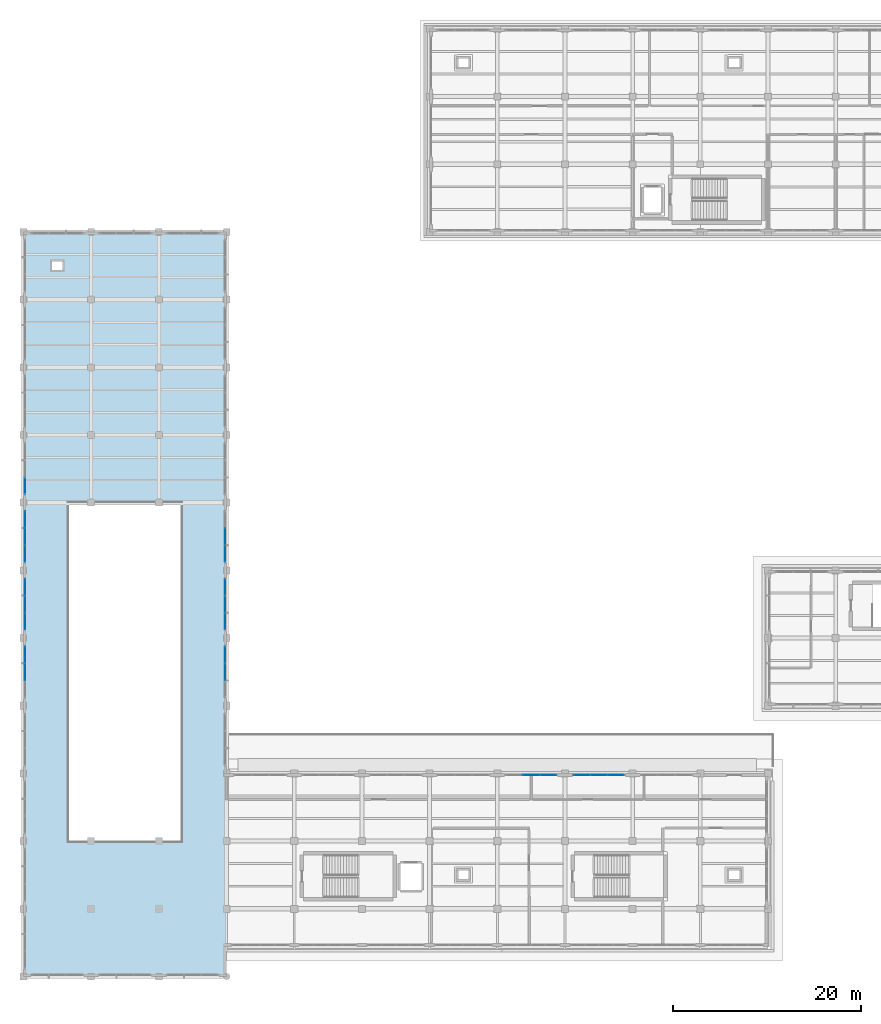
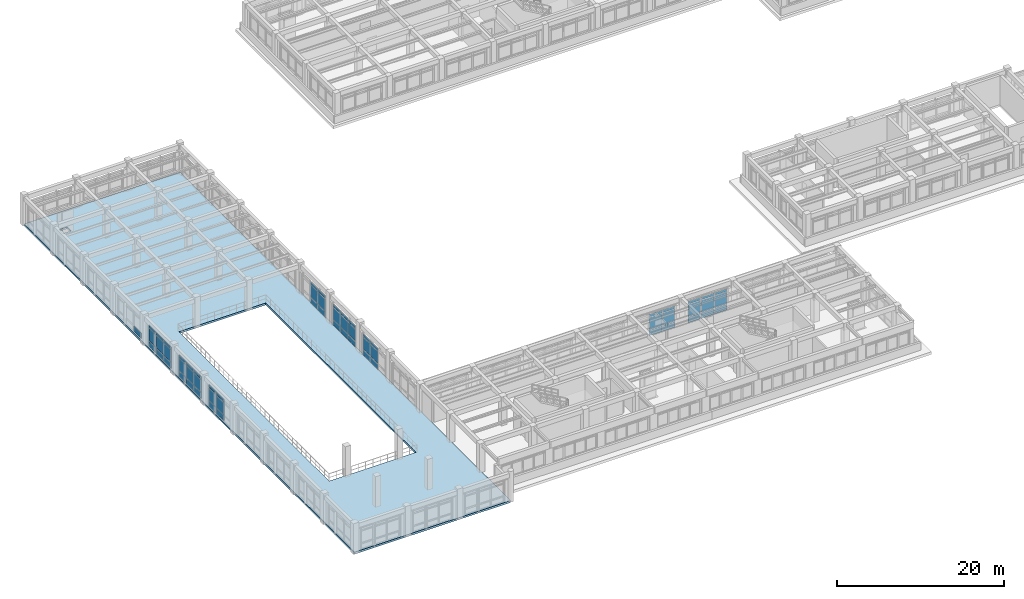
# One storey, part 35 of 64: 61 plates, 1 slab, 9 elements without a shape of their own.
"""IFC4 building model written with IfcOpenShell, lengths in metres."""

from ifc_helpers import new_model, si_unit, direction, frame, origin, origin_2d, place, context, subcontext, project, spatial, polyline, rectangle, outline, extrude, material, layer, layer_set, type_object, element, aggregate, save


model = new_model("IFC4")

# Units and contexts
model_context = context("Model", 3, precision=1e-05, world=origin(), true_north=direction((0.0, 1.0)))
body_context = subcontext(model_context, "Body", "Model", "MODEL_VIEW")
ifc_project = project(units=[si_unit("LENGTHUNIT", "METRE"), si_unit("AREAUNIT", "SQUARE_METRE"), si_unit("VOLUMEUNIT", "CUBIC_METRE"), si_unit("PLANEANGLEUNIT", "RADIAN"), si_unit("MASSUNIT", "GRAM", prefix="KILO")], contexts=[model_context])

# Site, building, storey
site_placement = place(None, origin())
site = spatial("IfcSite", under=ifc_project, at=site_placement, CompositionType="ELEMENT")
building_placement = place(site_placement, origin())
building = spatial("IfcBuilding", under=site, at=building_placement, Name="Solenvale Faculty of Natural Sciences", CompositionType="ELEMENT")
storey_placement = place(building_placement, frame((0.0, 0.0, 18.0)))
storey = spatial("IfcBuildingStorey", under=building, at=storey_placement, Name="L04", CompositionType="ELEMENT", Elevation=18.0)

# Curtain wall, plates
ifc_material_1 = material(Name="Anodised bronze aluminium", Category="aluminium")
ifc_layer_1 = layer(ifc_material_1, 0.215087890625)
ifc_layer_set_1 = layer_set([ifc_layer_1], Name="Anodised bronze aluminium")
curtain_wall_type_1 = type_object("IfcCurtainWallType", Name="CW-ATR-UNIT", PredefinedType="USERDEFINED", material=ifc_layer_set_1)
curtain_wall_1_placement = place(storey_placement, origin())
curtain_wall_1 = element("IfcCurtainWall", 1, at=curtain_wall_1_placement, inside=storey, type_object=curtain_wall_type_1, Name="L04 Curtain Wall CW-L04-P1-E1-B2", ObjectType="UNITISED CURTAIN WALL", PredefinedType="USERDEFINED")
ifc_material_2 = material(Name="North-light skylight glass", Category="glass")
ifc_layer_2 = layer(ifc_material_2, 0.028076171875)
ifc_layer_set_2 = layer_set([ifc_layer_2], Name="North-light skylight glass")
plate_type_1 = type_object("IfcPlateType", Name="CWP-PNL-28", PredefinedType="CURTAIN_PANEL", material=ifc_layer_set_2)
plate_1_placement = place(storey_placement, frame((57.45751953125, 46.800048828125, 0.074951171875), z_axis=(0.0, 0.0, 1.0), x_axis=(0.0, 1.0, 0.0)))
plate_1 = element("IfcPlate", 2, at=plate_1_placement, type_object=plate_type_1, Name="CW-01 panel 2.1", PredefinedType="CURTAIN_PANEL", context=body_context, shape_type="SweptSolid", body=[
    extrude(rectangle(XDim=1.75830078125, YDim=0.028076171875, at=origin_2d()), origin(), (0.0, 0.0, 1.0), 0.78759765625),
])
plate_2_placement = place(storey_placement, frame((57.45751953125, 46.800048828125, 0.9375), z_axis=(0.0, 0.0, 1.0), x_axis=(0.0, 1.0, 0.0)))
plate_2 = element("IfcPlate", 3, at=plate_2_placement, type_object=plate_type_1, Name="CW-01 panel 2.2", PredefinedType="CURTAIN_PANEL", context=body_context, shape_type="SweptSolid", body=[
    extrude(rectangle(XDim=1.75830078125, YDim=0.028076171875, at=origin_2d()), origin(), (0.0, 0.0, 1.0), 1.784912109375),
])
plate_3_placement = place(storey_placement, frame((57.45751953125, 46.800048828125, 2.79736328125), z_axis=(0.0, 0.0, 1.0), x_axis=(0.0, 1.0, 0.0)))
plate_3 = element("IfcPlate", 4, at=plate_3_placement, type_object=plate_type_1, Name="CW-01 panel 2.3", PredefinedType="CURTAIN_PANEL", context=body_context, shape_type="SweptSolid", body=[
    extrude(rectangle(XDim=1.75830078125, YDim=0.028076171875, at=origin_2d()), origin(), (0.0, 0.0, 1.0), 0.387451171875),
])
plate_4_placement = place(storey_placement, frame((57.45751953125, 48.614501953125, 0.074951171875), z_axis=(0.0, 0.0, 1.0), x_axis=(0.0, 1.0, 0.0)))
plate_4 = element("IfcPlate", 5, at=plate_4_placement, type_object=plate_type_1, Name="CW-01 panel 3.1", PredefinedType="CURTAIN_PANEL", context=body_context, shape_type="SweptSolid", body=[
    extrude(rectangle(XDim=1.720947265625, YDim=0.028076171875, at=origin_2d()), origin(), (0.0, 0.0, 1.0), 0.78759765625),
])
plate_5_placement = place(storey_placement, frame((57.45751953125, 48.614501953125, 0.9375), z_axis=(0.0, 0.0, 1.0), x_axis=(0.0, 1.0, 0.0)))
plate_5 = element("IfcPlate", 6, at=plate_5_placement, type_object=plate_type_1, Name="CW-01 panel 3.2", PredefinedType="CURTAIN_PANEL", context=body_context, shape_type="SweptSolid", body=[
    extrude(rectangle(XDim=1.720947265625, YDim=0.028076171875, at=origin_2d()), origin(), (0.0, 0.0, 1.0), 1.784912109375),
])
plate_6_placement = place(storey_placement, frame((57.45751953125, 48.614501953125, 2.79736328125), z_axis=(0.0, 0.0, 1.0), x_axis=(0.0, 1.0, 0.0)))
plate_6 = element("IfcPlate", 7, at=plate_6_placement, type_object=plate_type_1, Name="CW-01 panel 3.3", PredefinedType="CURTAIN_PANEL", context=body_context, shape_type="SweptSolid", body=[
    extrude(rectangle(XDim=1.720947265625, YDim=0.028076171875, at=origin_2d()), origin(), (0.0, 0.0, 1.0), 0.387451171875),
])
aggregate(curtain_wall_1, [plate_1, plate_2, plate_3, plate_4, plate_5, plate_6])

ifc_layer_3 = layer(ifc_material_1, 0.18994140625)
ifc_layer_set_3 = layer_set([ifc_layer_3], Name="Anodised bronze aluminium")
curtain_wall_type_2 = type_object("IfcCurtainWallType", Name="CW-TRAY-REC", PredefinedType="USERDEFINED", material=ifc_layer_set_3)
curtain_wall_2_placement = place(storey_placement, origin())
curtain_wall_2 = element("IfcCurtainWall", 8, at=curtain_wall_2_placement, inside=storey, type_object=curtain_wall_type_2, Name="L04 Curtain Wall CW-L04-P1-E8-B3", ObjectType="UNITISED CURTAIN WALL", PredefinedType="USERDEFINED")
plate_7_placement = place(storey_placement, frame((99.0146484375, 35.83740234375, 0.074951171875), z_axis=(0.0, 0.0, 1.0), x_axis=(-1.0, 0.0, 0.0)))
plate_7 = element("IfcPlate", 9, at=plate_7_placement, type_object=plate_type_1, Name="CW-02 panel 1.1", PredefinedType="CURTAIN_PANEL", context=body_context, shape_type="SweptSolid", body=[
    extrude(rectangle(XDim=1.720947265625, YDim=0.028076171875, at=origin_2d()), origin(), (0.0, 0.0, 1.0), 0.78759765625),
])
plate_8_placement = place(storey_placement, frame((99.0146484375, 35.83740234375, 0.9375), z_axis=(0.0, 0.0, 1.0), x_axis=(-1.0, 0.0, 0.0)))
plate_8 = element("IfcPlate", 10, at=plate_8_placement, type_object=plate_type_1, Name="CW-02 panel 1.2", PredefinedType="CURTAIN_PANEL", context=body_context, shape_type="SweptSolid", body=[
    extrude(rectangle(XDim=1.720947265625, YDim=0.028076171875, at=origin_2d()), origin(), (0.0, 0.0, 1.0), 1.784912109375),
])
plate_9_placement = place(storey_placement, frame((99.0146484375, 35.83740234375, 2.79736328125), z_axis=(0.0, 0.0, 1.0), x_axis=(-1.0, 0.0, 0.0)))
plate_9 = element("IfcPlate", 11, at=plate_9_placement, type_object=plate_type_1, Name="CW-02 panel 1.3", PredefinedType="CURTAIN_PANEL", context=body_context, shape_type="SweptSolid", body=[
    extrude(rectangle(XDim=1.720947265625, YDim=0.028076171875, at=origin_2d()), origin(), (0.0, 0.0, 1.0), 0.387451171875),
])
plate_10_placement = place(storey_placement, frame((97.199951171875, 35.83740234375, 0.074951171875), z_axis=(0.0, 0.0, 1.0), x_axis=(-1.0, 0.0, 0.0)))
plate_10 = element("IfcPlate", 12, at=plate_10_placement, type_object=plate_type_1, Name="CW-02 panel 2.1", PredefinedType="CURTAIN_PANEL", context=body_context, shape_type="SweptSolid", body=[
    extrude(rectangle(XDim=1.75830078125, YDim=0.028076171875, at=origin_2d()), origin(), (0.0, 0.0, 1.0), 0.78759765625),
])
plate_11_placement = place(storey_placement, frame((97.199951171875, 35.83740234375, 0.9375), z_axis=(0.0, 0.0, 1.0), x_axis=(-1.0, 0.0, 0.0)))
plate_11 = element("IfcPlate", 13, at=plate_11_placement, type_object=plate_type_1, Name="CW-02 panel 2.2", PredefinedType="CURTAIN_PANEL", context=body_context, shape_type="SweptSolid", body=[
    extrude(rectangle(XDim=1.75830078125, YDim=0.028076171875, at=origin_2d()), origin(), (0.0, 0.0, 1.0), 1.784912109375),
])
plate_12_placement = place(storey_placement, frame((97.199951171875, 35.83740234375, 2.79736328125), z_axis=(0.0, 0.0, 1.0), x_axis=(-1.0, 0.0, 0.0)))
plate_12 = element("IfcPlate", 14, at=plate_12_placement, type_object=plate_type_1, Name="CW-02 panel 2.3", PredefinedType="CURTAIN_PANEL", context=body_context, shape_type="SweptSolid", body=[
    extrude(rectangle(XDim=1.75830078125, YDim=0.028076171875, at=origin_2d()), origin(), (0.0, 0.0, 1.0), 0.387451171875),
])
plate_13_placement = place(storey_placement, frame((95.385498046875, 35.83740234375, 0.074951171875), z_axis=(0.0, 0.0, 1.0), x_axis=(-1.0, 0.0, 0.0)))
plate_13 = element("IfcPlate", 15, at=plate_13_placement, type_object=plate_type_1, Name="CW-02 panel 3.1", PredefinedType="CURTAIN_PANEL", context=body_context, shape_type="SweptSolid", body=[
    extrude(rectangle(XDim=1.720947265625, YDim=0.028076171875, at=origin_2d()), origin(), (0.0, 0.0, 1.0), 0.78759765625),
])
plate_14_placement = place(storey_placement, frame((95.385498046875, 35.83740234375, 0.9375), z_axis=(0.0, 0.0, 1.0), x_axis=(-1.0, 0.0, 0.0)))
plate_14 = element("IfcPlate", 16, at=plate_14_placement, type_object=plate_type_1, Name="CW-02 panel 3.2", PredefinedType="CURTAIN_PANEL", context=body_context, shape_type="SweptSolid", body=[
    extrude(rectangle(XDim=1.720947265625, YDim=0.028076171875, at=origin_2d()), origin(), (0.0, 0.0, 1.0), 1.784912109375),
])
plate_15_placement = place(storey_placement, frame((95.385498046875, 35.83740234375, 2.79736328125), z_axis=(0.0, 0.0, 1.0), x_axis=(-1.0, 0.0, 0.0)))
plate_15 = element("IfcPlate", 17, at=plate_15_placement, type_object=plate_type_1, Name="CW-02 panel 3.3", PredefinedType="CURTAIN_PANEL", context=body_context, shape_type="SweptSolid", body=[
    extrude(rectangle(XDim=1.720947265625, YDim=0.028076171875, at=origin_2d()), origin(), (0.0, 0.0, 1.0), 0.387451171875),
])
aggregate(curtain_wall_2, [plate_7, plate_8, plate_9, plate_10, plate_11, plate_12, plate_13, plate_14, plate_15])

curtain_wall_3_placement = place(storey_placement, origin())
curtain_wall_3 = element("IfcCurtainWall", 18, at=curtain_wall_3_placement, inside=storey, type_object=curtain_wall_type_1, Name="L04 Curtain Wall CW-L04-P1-E1-B3", ObjectType="UNITISED CURTAIN WALL", PredefinedType="USERDEFINED")
ifc_material_3 = material(Name="Triple low-E insulated glass", Category="glass")
ifc_layer_4 = layer(ifc_material_3, 0.031982421875)
ifc_layer_set_4 = layer_set([ifc_layer_4], Name="Triple low-E insulated glass")
plate_type_2 = type_object("IfcPlateType", Name="CWP-PNL-32", PredefinedType="CURTAIN_PANEL", material=ifc_layer_set_4)
plate_16_placement = place(storey_placement, frame((57.45751953125, 52.185302734375, 0.074951171875), z_axis=(0.0, 0.0, 1.0), x_axis=(0.0, 1.0, 0.0)))
plate_16 = element("IfcPlate", 19, at=plate_16_placement, type_object=plate_type_2, Name="CW-01 panel 1.1", PredefinedType="CURTAIN_PANEL", context=body_context, shape_type="SweptSolid", body=[
    extrude(rectangle(XDim=1.720947265625, YDim=0.031982421875, at=origin_2d()), origin(), (0.0, 0.0, 1.0), 0.78759765625),
])
plate_17_placement = place(storey_placement, frame((57.45751953125, 52.185302734375, 0.9375), z_axis=(0.0, 0.0, 1.0), x_axis=(0.0, 1.0, 0.0)))
plate_17 = element("IfcPlate", 20, at=plate_17_placement, type_object=plate_type_2, Name="CW-01 panel 1.2", PredefinedType="CURTAIN_PANEL", context=body_context, shape_type="SweptSolid", body=[
    extrude(rectangle(XDim=1.720947265625, YDim=0.031982421875, at=origin_2d()), origin(), (0.0, 0.0, 1.0), 1.784912109375),
])
plate_18_placement = place(storey_placement, frame((57.45751953125, 52.185302734375, 2.79736328125), z_axis=(0.0, 0.0, 1.0), x_axis=(0.0, 1.0, 0.0)))
plate_18 = element("IfcPlate", 21, at=plate_18_placement, type_object=plate_type_2, Name="CW-01 panel 1.3", PredefinedType="CURTAIN_PANEL", context=body_context, shape_type="SweptSolid", body=[
    extrude(rectangle(XDim=1.720947265625, YDim=0.031982421875, at=origin_2d()), origin(), (0.0, 0.0, 1.0), 0.387451171875),
])
plate_19_placement = place(storey_placement, frame((57.45751953125, 54.0, 0.074951171875), z_axis=(0.0, 0.0, 1.0), x_axis=(0.0, 1.0, 0.0)))
plate_19 = element("IfcPlate", 22, at=plate_19_placement, type_object=plate_type_2, Name="CW-01 panel 2.1", PredefinedType="CURTAIN_PANEL", context=body_context, shape_type="SweptSolid", body=[
    extrude(rectangle(XDim=1.75830078125, YDim=0.031982421875, at=origin_2d()), origin(), (0.0, 0.0, 1.0), 0.78759765625),
])
plate_20_placement = place(storey_placement, frame((57.45751953125, 54.0, 0.9375), z_axis=(0.0, 0.0, 1.0), x_axis=(0.0, 1.0, 0.0)))
plate_20 = element("IfcPlate", 23, at=plate_20_placement, type_object=plate_type_2, Name="CW-01 panel 2.2", PredefinedType="CURTAIN_PANEL", context=body_context, shape_type="SweptSolid", body=[
    extrude(rectangle(XDim=1.75830078125, YDim=0.031982421875, at=origin_2d()), origin(), (0.0, 0.0, 1.0), 1.784912109375),
])
plate_21_placement = place(storey_placement, frame((57.45751953125, 54.0, 2.79736328125), z_axis=(0.0, 0.0, 1.0), x_axis=(0.0, 1.0, 0.0)))
plate_21 = element("IfcPlate", 24, at=plate_21_placement, type_object=plate_type_2, Name="CW-01 panel 2.3", PredefinedType="CURTAIN_PANEL", context=body_context, shape_type="SweptSolid", body=[
    extrude(rectangle(XDim=1.75830078125, YDim=0.031982421875, at=origin_2d()), origin(), (0.0, 0.0, 1.0), 0.387451171875),
])
plate_22_placement = place(storey_placement, frame((57.45751953125, 55.814697265625, 0.074951171875), z_axis=(0.0, 0.0, 1.0), x_axis=(0.0, 1.0, 0.0)))
plate_22 = element("IfcPlate", 25, at=plate_22_placement, type_object=plate_type_2, Name="CW-01 panel 3.1", PredefinedType="CURTAIN_PANEL", context=body_context, shape_type="SweptSolid", body=[
    extrude(rectangle(XDim=1.720947265625, YDim=0.031982421875, at=origin_2d()), origin(), (0.0, 0.0, 1.0), 0.78759765625),
])
plate_23_placement = place(storey_placement, frame((57.45751953125, 55.814697265625, 0.9375), z_axis=(0.0, 0.0, 1.0), x_axis=(0.0, 1.0, 0.0)))
plate_23 = element("IfcPlate", 26, at=plate_23_placement, type_object=plate_type_2, Name="CW-01 panel 3.2", PredefinedType="CURTAIN_PANEL", context=body_context, shape_type="SweptSolid", body=[
    extrude(rectangle(XDim=1.720947265625, YDim=0.031982421875, at=origin_2d()), origin(), (0.0, 0.0, 1.0), 1.784912109375),
])
plate_24_placement = place(storey_placement, frame((57.45751953125, 55.814697265625, 2.79736328125), z_axis=(0.0, 0.0, 1.0), x_axis=(0.0, 1.0, 0.0)))
plate_24 = element("IfcPlate", 27, at=plate_24_placement, type_object=plate_type_2, Name="CW-01 panel 3.3", PredefinedType="CURTAIN_PANEL", context=body_context, shape_type="SweptSolid", body=[
    extrude(rectangle(XDim=1.720947265625, YDim=0.031982421875, at=origin_2d()), origin(), (0.0, 0.0, 1.0), 0.387451171875),
])
aggregate(curtain_wall_3, [plate_16, plate_17, plate_18, plate_19, plate_20, plate_21, plate_22, plate_23, plate_24])

curtain_wall_4_placement = place(storey_placement, origin())
curtain_wall_4 = element("IfcCurtainWall", 28, at=curtain_wall_4_placement, inside=storey, type_object=curtain_wall_type_2, Name="L04 Curtain Wall CW-L04-P1-E8-B4", ObjectType="UNITISED CURTAIN WALL", PredefinedType="USERDEFINED")
plate_25_placement = place(storey_placement, frame((91.814697265625, 35.83740234375, 0.074951171875), z_axis=(0.0, 0.0, 1.0), x_axis=(-1.0, 0.0, 0.0)))
plate_25 = element("IfcPlate", 29, at=plate_25_placement, type_object=plate_type_2, Name="CW-02 panel 1.1", PredefinedType="CURTAIN_PANEL", context=body_context, shape_type="SweptSolid", body=[
    extrude(rectangle(XDim=1.720947265625, YDim=0.031982421875, at=origin_2d()), origin(), (0.0, 0.0, 1.0), 0.78759765625),
])
plate_26_placement = place(storey_placement, frame((91.814697265625, 35.83740234375, 0.9375), z_axis=(0.0, 0.0, 1.0), x_axis=(-1.0, 0.0, 0.0)))
plate_26 = element("IfcPlate", 30, at=plate_26_placement, type_object=plate_type_2, Name="CW-02 panel 1.2", PredefinedType="CURTAIN_PANEL", context=body_context, shape_type="SweptSolid", body=[
    extrude(rectangle(XDim=1.720947265625, YDim=0.031982421875, at=origin_2d()), origin(), (0.0, 0.0, 1.0), 1.784912109375),
])
plate_27_placement = place(storey_placement, frame((91.814697265625, 35.83740234375, 2.79736328125), z_axis=(0.0, 0.0, 1.0), x_axis=(-1.0, 0.0, 0.0)))
plate_27 = element("IfcPlate", 31, at=plate_27_placement, type_object=plate_type_2, Name="CW-02 panel 1.3", PredefinedType="CURTAIN_PANEL", context=body_context, shape_type="SweptSolid", body=[
    extrude(rectangle(XDim=1.720947265625, YDim=0.031982421875, at=origin_2d()), origin(), (0.0, 0.0, 1.0), 0.387451171875),
])
plate_28_placement = place(storey_placement, frame((90.0, 35.83740234375, 0.074951171875), z_axis=(0.0, 0.0, 1.0), x_axis=(-1.0, 0.0, 0.0)))
plate_28 = element("IfcPlate", 32, at=plate_28_placement, type_object=plate_type_2, Name="CW-02 panel 2.1", PredefinedType="CURTAIN_PANEL", context=body_context, shape_type="SweptSolid", body=[
    extrude(rectangle(XDim=1.75830078125, YDim=0.031982421875, at=origin_2d()), origin(), (0.0, 0.0, 1.0), 0.78759765625),
])
plate_29_placement = place(storey_placement, frame((90.0, 35.83740234375, 0.9375), z_axis=(0.0, 0.0, 1.0), x_axis=(-1.0, 0.0, 0.0)))
plate_29 = element("IfcPlate", 33, at=plate_29_placement, type_object=plate_type_2, Name="CW-02 panel 2.2", PredefinedType="CURTAIN_PANEL", context=body_context, shape_type="SweptSolid", body=[
    extrude(rectangle(XDim=1.75830078125, YDim=0.031982421875, at=origin_2d()), origin(), (0.0, 0.0, 1.0), 1.784912109375),
])
plate_30_placement = place(storey_placement, frame((90.0, 35.83740234375, 2.79736328125), z_axis=(0.0, 0.0, 1.0), x_axis=(-1.0, 0.0, 0.0)))
plate_30 = element("IfcPlate", 34, at=plate_30_placement, type_object=plate_type_2, Name="CW-02 panel 2.3", PredefinedType="CURTAIN_PANEL", context=body_context, shape_type="SweptSolid", body=[
    extrude(rectangle(XDim=1.75830078125, YDim=0.031982421875, at=origin_2d()), origin(), (0.0, 0.0, 1.0), 0.387451171875),
])
aggregate(curtain_wall_4, [plate_25, plate_26, plate_27, plate_28, plate_29, plate_30])

curtain_wall_5_placement = place(storey_placement, origin())
curtain_wall_5 = element("IfcCurtainWall", 35, at=curtain_wall_5_placement, inside=storey, type_object=curtain_wall_type_1, Name="L04 Curtain Wall CW-L04-P1-E1-B4", ObjectType="UNITISED CURTAIN WALL", PredefinedType="USERDEFINED")
ifc_layer_5 = layer(ifc_material_3, 0.035888671875)
ifc_layer_set_5 = layer_set([ifc_layer_5], Name="Triple low-E insulated glass")
plate_type_3 = type_object("IfcPlateType", Name="CWP-PNL-36", PredefinedType="CURTAIN_PANEL", material=ifc_layer_set_5)
plate_31_placement = place(storey_placement, frame((57.45751953125, 59.385498046875, 0.074951171875), z_axis=(0.0, 0.0, 1.0), x_axis=(0.0, 1.0, 0.0)))
plate_31 = element("IfcPlate", 36, at=plate_31_placement, type_object=plate_type_3, Name="CW-01 panel 1.1", PredefinedType="CURTAIN_PANEL", context=body_context, shape_type="SweptSolid", body=[
    extrude(rectangle(XDim=1.720947265625, YDim=0.035888671875, at=origin_2d()), origin(), (0.0, 0.0, 1.0), 0.78759765625),
])
plate_32_placement = place(storey_placement, frame((57.45751953125, 59.385498046875, 0.9375), z_axis=(0.0, 0.0, 1.0), x_axis=(0.0, 1.0, 0.0)))
plate_32 = element("IfcPlate", 37, at=plate_32_placement, type_object=plate_type_3, Name="CW-01 panel 1.2", PredefinedType="CURTAIN_PANEL", context=body_context, shape_type="SweptSolid", body=[
    extrude(rectangle(XDim=1.720947265625, YDim=0.035888671875, at=origin_2d()), origin(), (0.0, 0.0, 1.0), 1.784912109375),
])
plate_33_placement = place(storey_placement, frame((57.45751953125, 59.385498046875, 2.79736328125), z_axis=(0.0, 0.0, 1.0), x_axis=(0.0, 1.0, 0.0)))
plate_33 = element("IfcPlate", 38, at=plate_33_placement, type_object=plate_type_3, Name="CW-01 panel 1.3", PredefinedType="CURTAIN_PANEL", context=body_context, shape_type="SweptSolid", body=[
    extrude(rectangle(XDim=1.720947265625, YDim=0.035888671875, at=origin_2d()), origin(), (0.0, 0.0, 1.0), 0.387451171875),
])
plate_34_placement = place(storey_placement, frame((57.45751953125, 61.199951171875, 0.074951171875), z_axis=(0.0, 0.0, 1.0), x_axis=(0.0, 1.0, 0.0)))
plate_34 = element("IfcPlate", 39, at=plate_34_placement, type_object=plate_type_3, Name="CW-01 panel 2.1", PredefinedType="CURTAIN_PANEL", context=body_context, shape_type="SweptSolid", body=[
    extrude(rectangle(XDim=1.75830078125, YDim=0.035888671875, at=origin_2d()), origin(), (0.0, 0.0, 1.0), 0.78759765625),
])
plate_35_placement = place(storey_placement, frame((57.45751953125, 61.199951171875, 0.9375), z_axis=(0.0, 0.0, 1.0), x_axis=(0.0, 1.0, 0.0)))
plate_35 = element("IfcPlate", 40, at=plate_35_placement, type_object=plate_type_3, Name="CW-01 panel 2.2", PredefinedType="CURTAIN_PANEL", context=body_context, shape_type="SweptSolid", body=[
    extrude(rectangle(XDim=1.75830078125, YDim=0.035888671875, at=origin_2d()), origin(), (0.0, 0.0, 1.0), 1.784912109375),
])
plate_36_placement = place(storey_placement, frame((57.45751953125, 61.199951171875, 2.79736328125), z_axis=(0.0, 0.0, 1.0), x_axis=(0.0, 1.0, 0.0)))
plate_36 = element("IfcPlate", 41, at=plate_36_placement, type_object=plate_type_3, Name="CW-01 panel 2.3", PredefinedType="CURTAIN_PANEL", context=body_context, shape_type="SweptSolid", body=[
    extrude(rectangle(XDim=1.75830078125, YDim=0.035888671875, at=origin_2d()), origin(), (0.0, 0.0, 1.0), 0.387451171875),
])
aggregate(curtain_wall_5, [plate_31, plate_32, plate_33, plate_34, plate_35, plate_36])

# Curtain wall, plate
curtain_wall_6_placement = place(storey_placement, origin())
curtain_wall_6 = element("IfcCurtainWall", 42, at=curtain_wall_6_placement, inside=storey, type_object=curtain_wall_type_1, Name="L04 Curtain Wall CW-L04-P1-E3-B4", ObjectType="UNITISED CURTAIN WALL", PredefinedType="USERDEFINED")
ifc_layer_6 = layer(ifc_material_3, 0.0439453125)
ifc_layer_set_6 = layer_set([ifc_layer_6], Name="Triple low-E insulated glass")
plate_type_4 = type_object("IfcPlateType", Name="CWP-PNL-44", PredefinedType="CURTAIN_PANEL", material=ifc_layer_set_6)
plate_37_placement = place(storey_placement, frame((36.142578125, 66.58544921875, 0.074951171875), z_axis=(0.0, 0.0, 1.0), x_axis=(0.0, -1.0, 0.0)))
plate_37 = element("IfcPlate", 43, at=plate_37_placement, type_object=plate_type_4, Name="CW-01 panel 3.1", PredefinedType="CURTAIN_PANEL", context=body_context, shape_type="SweptSolid", body=[
    extrude(rectangle(XDim=1.720947265625, YDim=0.0439453125, at=origin_2d()), origin(), (0.0, 0.0, 1.0), 0.78759765625),
])
aggregate(curtain_wall_6, [plate_37])

# Curtain wall, plates
curtain_wall_7_placement = place(storey_placement, origin())
curtain_wall_7 = element("IfcCurtainWall", 44, at=curtain_wall_7_placement, inside=storey, type_object=curtain_wall_type_1, Name="L04 Curtain Wall CW-L04-P1-E3-B5", ObjectType="UNITISED CURTAIN WALL", PredefinedType="USERDEFINED")
ifc_layer_7 = layer(ifc_material_1, 0.048095703125)
ifc_layer_set_7 = layer_set([ifc_layer_7], Name="Anodised bronze aluminium")
plate_type_5 = type_object("IfcPlateType", Name="CWP-PNL-48", PredefinedType="CURTAIN_PANEL", material=ifc_layer_set_7)
plate_38_placement = place(storey_placement, frame((36.142578125, 63.0146484375, 0.074951171875), z_axis=(0.0, 0.0, 1.0), x_axis=(0.0, -1.0, 0.0)))
plate_38 = element("IfcPlate", 45, at=plate_38_placement, type_object=plate_type_5, Name="CW-01 panel 1.1", PredefinedType="CURTAIN_PANEL", context=body_context, shape_type="SweptSolid", body=[
    extrude(rectangle(XDim=1.720947265625, YDim=0.048095703125, at=origin_2d()), origin(), (0.0, 0.0, 1.0), 0.78759765625),
])
plate_39_placement = place(storey_placement, frame((36.142578125, 63.0146484375, 0.9375), z_axis=(0.0, 0.0, 1.0), x_axis=(0.0, -1.0, 0.0)))
plate_39 = element("IfcPlate", 46, at=plate_39_placement, type_object=plate_type_5, Name="CW-01 panel 1.2", PredefinedType="CURTAIN_PANEL", context=body_context, shape_type="SweptSolid", body=[
    extrude(rectangle(XDim=1.720947265625, YDim=0.048095703125, at=origin_2d()), origin(), (0.0, 0.0, 1.0), 1.784912109375),
])
plate_40_placement = place(storey_placement, frame((36.142578125, 63.0146484375, 2.79736328125), z_axis=(0.0, 0.0, 1.0), x_axis=(0.0, -1.0, 0.0)))
plate_40 = element("IfcPlate", 47, at=plate_40_placement, type_object=plate_type_5, Name="CW-01 panel 1.3", PredefinedType="CURTAIN_PANEL", context=body_context, shape_type="SweptSolid", body=[
    extrude(rectangle(XDim=1.720947265625, YDim=0.048095703125, at=origin_2d()), origin(), (0.0, 0.0, 1.0), 0.387451171875),
])
plate_41_placement = place(storey_placement, frame((36.142578125, 61.199951171875, 0.074951171875), z_axis=(0.0, 0.0, 1.0), x_axis=(0.0, -1.0, 0.0)))
plate_41 = element("IfcPlate", 48, at=plate_41_placement, type_object=plate_type_5, Name="CW-01 panel 2.1", PredefinedType="CURTAIN_PANEL", context=body_context, shape_type="SweptSolid", body=[
    extrude(rectangle(XDim=1.75830078125, YDim=0.048095703125, at=origin_2d()), origin(), (0.0, 0.0, 1.0), 0.78759765625),
])
plate_42_placement = place(storey_placement, frame((36.142578125, 61.199951171875, 0.9375), z_axis=(0.0, 0.0, 1.0), x_axis=(0.0, -1.0, 0.0)))
plate_42 = element("IfcPlate", 49, at=plate_42_placement, type_object=plate_type_5, Name="CW-01 panel 2.2", PredefinedType="CURTAIN_PANEL", context=body_context, shape_type="SweptSolid", body=[
    extrude(rectangle(XDim=1.75830078125, YDim=0.048095703125, at=origin_2d()), origin(), (0.0, 0.0, 1.0), 1.784912109375),
])
plate_43_placement = place(storey_placement, frame((36.142578125, 61.199951171875, 2.79736328125), z_axis=(0.0, 0.0, 1.0), x_axis=(0.0, -1.0, 0.0)))
plate_43 = element("IfcPlate", 50, at=plate_43_placement, type_object=plate_type_5, Name="CW-01 panel 2.3", PredefinedType="CURTAIN_PANEL", context=body_context, shape_type="SweptSolid", body=[
    extrude(rectangle(XDim=1.75830078125, YDim=0.048095703125, at=origin_2d()), origin(), (0.0, 0.0, 1.0), 0.387451171875),
])
plate_44_placement = place(storey_placement, frame((36.142578125, 59.385498046875, 0.074951171875), z_axis=(0.0, 0.0, 1.0), x_axis=(0.0, -1.0, 0.0)))
plate_44 = element("IfcPlate", 51, at=plate_44_placement, type_object=plate_type_5, Name="CW-01 panel 3.1", PredefinedType="CURTAIN_PANEL", context=body_context, shape_type="SweptSolid", body=[
    extrude(rectangle(XDim=1.720947265625, YDim=0.048095703125, at=origin_2d()), origin(), (0.0, 0.0, 1.0), 0.78759765625),
])
plate_45_placement = place(storey_placement, frame((36.142578125, 59.385498046875, 0.9375), z_axis=(0.0, 0.0, 1.0), x_axis=(0.0, -1.0, 0.0)))
plate_45 = element("IfcPlate", 52, at=plate_45_placement, type_object=plate_type_5, Name="CW-01 panel 3.2", PredefinedType="CURTAIN_PANEL", context=body_context, shape_type="SweptSolid", body=[
    extrude(rectangle(XDim=1.720947265625, YDim=0.048095703125, at=origin_2d()), origin(), (0.0, 0.0, 1.0), 1.784912109375),
])
plate_46_placement = place(storey_placement, frame((36.142578125, 59.385498046875, 2.79736328125), z_axis=(0.0, 0.0, 1.0), x_axis=(0.0, -1.0, 0.0)))
plate_46 = element("IfcPlate", 53, at=plate_46_placement, type_object=plate_type_5, Name="CW-01 panel 3.3", PredefinedType="CURTAIN_PANEL", context=body_context, shape_type="SweptSolid", body=[
    extrude(rectangle(XDim=1.720947265625, YDim=0.048095703125, at=origin_2d()), origin(), (0.0, 0.0, 1.0), 0.387451171875),
])
aggregate(curtain_wall_7, [plate_38, plate_39, plate_40, plate_41, plate_42, plate_43, plate_44, plate_45, plate_46])

curtain_wall_8_placement = place(storey_placement, origin())
curtain_wall_8 = element("IfcCurtainWall", 54, at=curtain_wall_8_placement, inside=storey, type_object=curtain_wall_type_1, Name="L04 Curtain Wall CW-L04-P1-E3-B6", ObjectType="UNITISED CURTAIN WALL", PredefinedType="USERDEFINED")
ifc_layer_8 = layer(ifc_material_1, 0.053955078125)
ifc_layer_set_8 = layer_set([ifc_layer_8], Name="Anodised bronze aluminium")
plate_type_6 = type_object("IfcPlateType", Name="CWP-PNL-54", PredefinedType="CURTAIN_PANEL", material=ifc_layer_set_8)
plate_47_placement = place(storey_placement, frame((36.142578125, 55.814697265625, 0.074951171875), z_axis=(0.0, 0.0, 1.0), x_axis=(0.0, -1.0, 0.0)))
plate_47 = element("IfcPlate", 55, at=plate_47_placement, type_object=plate_type_6, Name="CW-01 panel 1.1", PredefinedType="CURTAIN_PANEL", context=body_context, shape_type="SweptSolid", body=[
    extrude(rectangle(XDim=1.720947265625, YDim=0.053955078125, at=origin_2d()), origin(), (0.0, 0.0, 1.0), 0.78759765625),
])
plate_48_placement = place(storey_placement, frame((36.142578125, 55.814697265625, 0.9375), z_axis=(0.0, 0.0, 1.0), x_axis=(0.0, -1.0, 0.0)))
plate_48 = element("IfcPlate", 56, at=plate_48_placement, type_object=plate_type_6, Name="CW-01 panel 1.2", PredefinedType="CURTAIN_PANEL", context=body_context, shape_type="SweptSolid", body=[
    extrude(rectangle(XDim=1.720947265625, YDim=0.053955078125, at=origin_2d()), origin(), (0.0, 0.0, 1.0), 1.784912109375),
])
plate_49_placement = place(storey_placement, frame((36.142578125, 55.814697265625, 2.79736328125), z_axis=(0.0, 0.0, 1.0), x_axis=(0.0, -1.0, 0.0)))
plate_49 = element("IfcPlate", 57, at=plate_49_placement, type_object=plate_type_6, Name="CW-01 panel 1.3", PredefinedType="CURTAIN_PANEL", context=body_context, shape_type="SweptSolid", body=[
    extrude(rectangle(XDim=1.720947265625, YDim=0.053955078125, at=origin_2d()), origin(), (0.0, 0.0, 1.0), 0.387451171875),
])
plate_50_placement = place(storey_placement, frame((36.142578125, 54.0, 0.074951171875), z_axis=(0.0, 0.0, 1.0), x_axis=(0.0, -1.0, 0.0)))
plate_50 = element("IfcPlate", 58, at=plate_50_placement, type_object=plate_type_6, Name="CW-01 panel 2.1", PredefinedType="CURTAIN_PANEL", context=body_context, shape_type="SweptSolid", body=[
    extrude(rectangle(XDim=1.75830078125, YDim=0.053955078125, at=origin_2d()), origin(), (0.0, 0.0, 1.0), 0.78759765625),
])
plate_51_placement = place(storey_placement, frame((36.142578125, 54.0, 0.9375), z_axis=(0.0, 0.0, 1.0), x_axis=(0.0, -1.0, 0.0)))
plate_51 = element("IfcPlate", 59, at=plate_51_placement, type_object=plate_type_6, Name="CW-01 panel 2.2", PredefinedType="CURTAIN_PANEL", context=body_context, shape_type="SweptSolid", body=[
    extrude(rectangle(XDim=1.75830078125, YDim=0.053955078125, at=origin_2d()), origin(), (0.0, 0.0, 1.0), 1.784912109375),
])
plate_52_placement = place(storey_placement, frame((36.142578125, 54.0, 2.79736328125), z_axis=(0.0, 0.0, 1.0), x_axis=(0.0, -1.0, 0.0)))
plate_52 = element("IfcPlate", 60, at=plate_52_placement, type_object=plate_type_6, Name="CW-01 panel 2.3", PredefinedType="CURTAIN_PANEL", context=body_context, shape_type="SweptSolid", body=[
    extrude(rectangle(XDim=1.75830078125, YDim=0.053955078125, at=origin_2d()), origin(), (0.0, 0.0, 1.0), 0.387451171875),
])
plate_53_placement = place(storey_placement, frame((36.142578125, 52.185302734375, 0.074951171875), z_axis=(0.0, 0.0, 1.0), x_axis=(0.0, -1.0, 0.0)))
plate_53 = element("IfcPlate", 61, at=plate_53_placement, type_object=plate_type_6, Name="CW-01 panel 3.1", PredefinedType="CURTAIN_PANEL", context=body_context, shape_type="SweptSolid", body=[
    extrude(rectangle(XDim=1.720947265625, YDim=0.053955078125, at=origin_2d()), origin(), (0.0, 0.0, 1.0), 0.78759765625),
])
plate_54_placement = place(storey_placement, frame((36.142578125, 52.185302734375, 0.9375), z_axis=(0.0, 0.0, 1.0), x_axis=(0.0, -1.0, 0.0)))
plate_54 = element("IfcPlate", 62, at=plate_54_placement, type_object=plate_type_6, Name="CW-01 panel 3.2", PredefinedType="CURTAIN_PANEL", context=body_context, shape_type="SweptSolid", body=[
    extrude(rectangle(XDim=1.720947265625, YDim=0.053955078125, at=origin_2d()), origin(), (0.0, 0.0, 1.0), 1.784912109375),
])
plate_55_placement = place(storey_placement, frame((36.142578125, 52.185302734375, 2.79736328125), z_axis=(0.0, 0.0, 1.0), x_axis=(0.0, -1.0, 0.0)))
plate_55 = element("IfcPlate", 63, at=plate_55_placement, type_object=plate_type_6, Name="CW-01 panel 3.3", PredefinedType="CURTAIN_PANEL", context=body_context, shape_type="SweptSolid", body=[
    extrude(rectangle(XDim=1.720947265625, YDim=0.053955078125, at=origin_2d()), origin(), (0.0, 0.0, 1.0), 0.387451171875),
])
aggregate(curtain_wall_8, [plate_47, plate_48, plate_49, plate_50, plate_51, plate_52, plate_53, plate_54, plate_55])

curtain_wall_9_placement = place(storey_placement, origin())
curtain_wall_9 = element("IfcCurtainWall", 64, at=curtain_wall_9_placement, inside=storey, type_object=curtain_wall_type_1, Name="L04 Curtain Wall CW-L04-P1-E3-B7", ObjectType="UNITISED CURTAIN WALL", PredefinedType="USERDEFINED")
ifc_layer_9 = layer(ifc_material_1, 0.06005859375)
ifc_layer_set_9 = layer_set([ifc_layer_9], Name="Anodised bronze aluminium")
plate_type_7 = type_object("IfcPlateType", Name="CWP-PNL-60", PredefinedType="CURTAIN_PANEL", material=ifc_layer_set_9)
plate_56_placement = place(storey_placement, frame((36.142578125, 48.614501953125, 0.074951171875), z_axis=(0.0, 0.0, 1.0), x_axis=(0.0, -1.0, 0.0)))
plate_56 = element("IfcPlate", 65, at=plate_56_placement, type_object=plate_type_7, Name="CW-01 panel 1.1", PredefinedType="CURTAIN_PANEL", context=body_context, shape_type="SweptSolid", body=[
    extrude(rectangle(XDim=1.720947265625, YDim=0.06005859375, at=origin_2d()), origin(), (0.0, 0.0, 1.0), 0.78759765625),
])
plate_57_placement = place(storey_placement, frame((36.142578125, 48.614501953125, 0.9375), z_axis=(0.0, 0.0, 1.0), x_axis=(0.0, -1.0, 0.0)))
plate_57 = element("IfcPlate", 66, at=plate_57_placement, type_object=plate_type_7, Name="CW-01 panel 1.2", PredefinedType="CURTAIN_PANEL", context=body_context, shape_type="SweptSolid", body=[
    extrude(rectangle(XDim=1.720947265625, YDim=0.06005859375, at=origin_2d()), origin(), (0.0, 0.0, 1.0), 1.784912109375),
])
plate_58_placement = place(storey_placement, frame((36.142578125, 48.614501953125, 2.79736328125), z_axis=(0.0, 0.0, 1.0), x_axis=(0.0, -1.0, 0.0)))
plate_58 = element("IfcPlate", 67, at=plate_58_placement, type_object=plate_type_7, Name="CW-01 panel 1.3", PredefinedType="CURTAIN_PANEL", context=body_context, shape_type="SweptSolid", body=[
    extrude(rectangle(XDim=1.720947265625, YDim=0.06005859375, at=origin_2d()), origin(), (0.0, 0.0, 1.0), 0.387451171875),
])
plate_59_placement = place(storey_placement, frame((36.142578125, 46.800048828125, 0.074951171875), z_axis=(0.0, 0.0, 1.0), x_axis=(0.0, -1.0, 0.0)))
plate_59 = element("IfcPlate", 68, at=plate_59_placement, type_object=plate_type_7, Name="CW-01 panel 2.1", PredefinedType="CURTAIN_PANEL", context=body_context, shape_type="SweptSolid", body=[
    extrude(rectangle(XDim=1.75830078125, YDim=0.06005859375, at=origin_2d()), origin(), (0.0, 0.0, 1.0), 0.78759765625),
])
plate_60_placement = place(storey_placement, frame((36.142578125, 46.800048828125, 0.9375), z_axis=(0.0, 0.0, 1.0), x_axis=(0.0, -1.0, 0.0)))
plate_60 = element("IfcPlate", 69, at=plate_60_placement, type_object=plate_type_7, Name="CW-01 panel 2.2", PredefinedType="CURTAIN_PANEL", context=body_context, shape_type="SweptSolid", body=[
    extrude(rectangle(XDim=1.75830078125, YDim=0.06005859375, at=origin_2d()), origin(), (0.0, 0.0, 1.0), 1.784912109375),
])
plate_61_placement = place(storey_placement, frame((36.142578125, 46.800048828125, 2.79736328125), z_axis=(0.0, 0.0, 1.0), x_axis=(0.0, -1.0, 0.0)))
plate_61 = element("IfcPlate", 70, at=plate_61_placement, type_object=plate_type_7, Name="CW-01 panel 2.3", PredefinedType="CURTAIN_PANEL", context=body_context, shape_type="SweptSolid", body=[
    extrude(rectangle(XDim=1.75830078125, YDim=0.06005859375, at=origin_2d()), origin(), (0.0, 0.0, 1.0), 0.387451171875),
])
aggregate(curtain_wall_9, [plate_56, plate_57, plate_58, plate_59, plate_60, plate_61])

# Slab
ifc_material_4 = material(Name="Concrete 40 MPa", Category="concrete")
ifc_layer_10 = layer(ifc_material_4, 0.280029296875)
ifc_layer_set_10 = layer_set([ifc_layer_10], Name="Concrete 40 MPa")
slab_type = type_object("IfcSlabType", Name="SL-FLR-280", PredefinedType="FLOOR", material=ifc_layer_set_10)
slab_placement = place(storey_placement, frame((0.0, 0.0, -0.280029296875)))
element("IfcSlab", 71, at=slab_placement, inside=storey, type_object=slab_type, Name="L04 V3 Floor Slab 1.1", PredefinedType="FLOOR", context=body_context, shape_type="SweptSolid", body=[
    extrude(outline(polyline([(57.574951171875, 93.60009765625), (57.5927734375, 93.5927734375), (57.60009765625, 93.574951171875), (57.598876953125, 14.417724609375), (57.574951171875, 14.39990234375), (36.017578125, 14.401123046875), (36.0, 14.425048828125), (36.001220703125, 93.582275390625), (36.02490234375, 93.60009765625), (57.574951171875, 93.60009765625)]), holes=[polyline([(40.800048828125, 28.800048828125), (52.800048828125, 28.800048828125), (52.800048828125, 64.800048828125), (40.800048828125, 64.800048828125), (40.800048828125, 28.800048828125)]), polyline([(39.050048828125, 89.550048828125), (40.14990234375, 89.550048828125), (40.14990234375, 90.449951171875), (39.050048828125, 90.449951171875), (39.050048828125, 89.550048828125)])]), origin(), (0.0, 0.0, 1.0), 0.280029296875),
])

save(model, "model.ifc")
